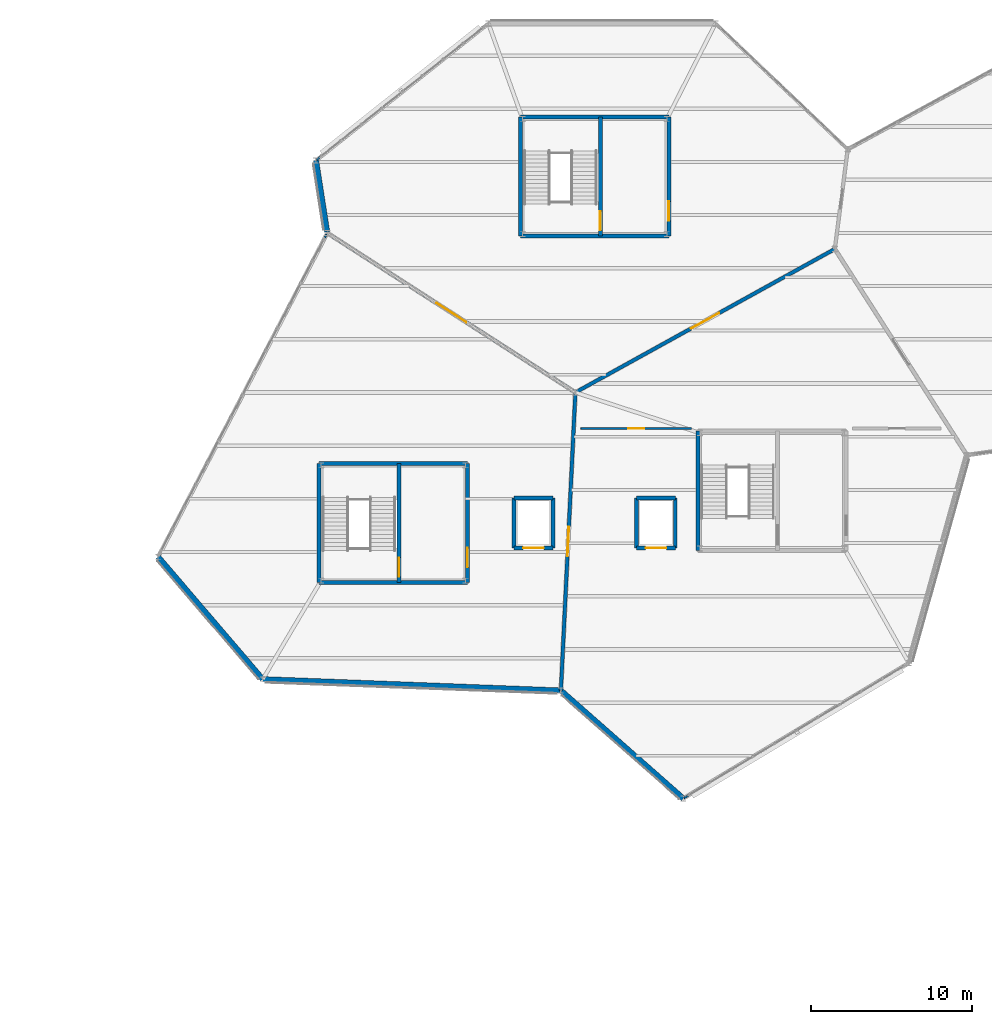
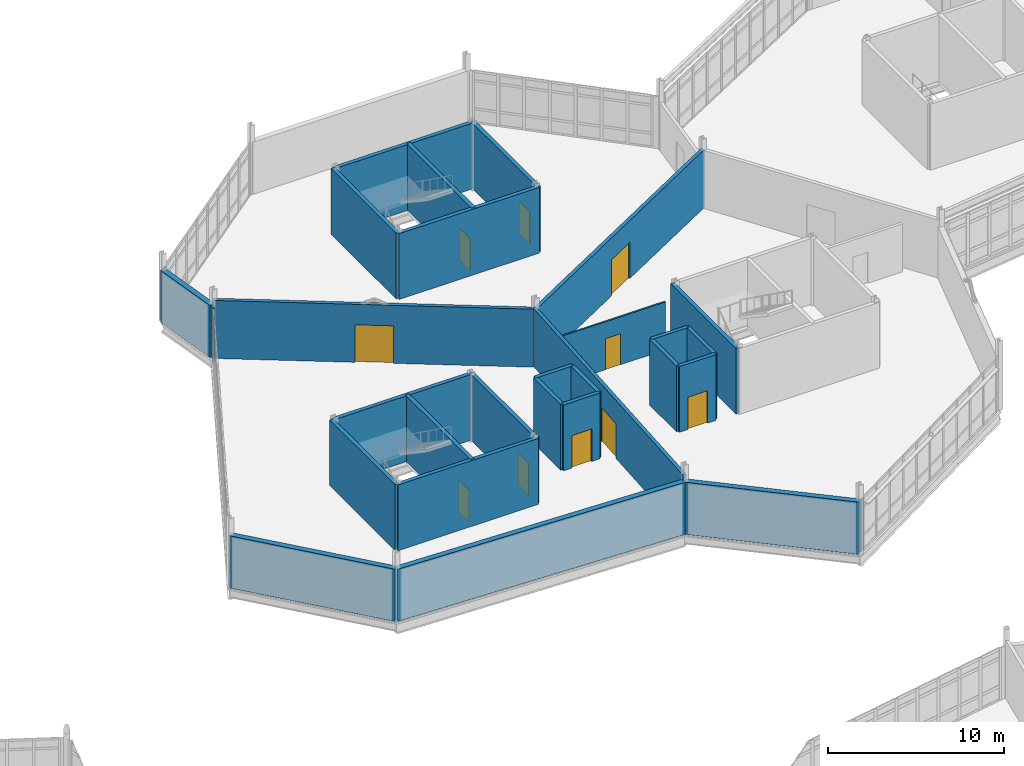
# One storey, part 96 of 114: 30 walls, 10 doors, 10 openings.
"""IFC4 building model written with IfcOpenShell, lengths in metres."""

from ifc_helpers import new_model, si_unit, direction, frame, frame_2d, origin, place, context, subcontext, project, spatial, rectangle, extrude, material, layer, layer_set, type_object, element, fill, save


model = new_model("IFC4")

# Units and contexts
model_context = context("Model", 3, precision=1e-05, world=origin(), true_north=direction((0.0, 1.0)))
body_context = subcontext(model_context, "Body", "Model", "MODEL_VIEW")
ifc_project = project(units=[si_unit("LENGTHUNIT", "METRE"), si_unit("AREAUNIT", "SQUARE_METRE"), si_unit("VOLUMEUNIT", "CUBIC_METRE"), si_unit("PLANEANGLEUNIT", "RADIAN"), si_unit("MASSUNIT", "GRAM", prefix="KILO")], contexts=[model_context])

# Site, building, storey
site_placement = place(None, origin())
site = spatial("IfcSite", under=ifc_project, at=site_placement, CompositionType="ELEMENT")
building_placement = place(site_placement, origin())
building = spatial("IfcBuilding", under=site, at=building_placement, Name="Tameran Prism Museum", CompositionType="ELEMENT")
storey_placement = place(building_placement, frame((0.0, 0.0, 10.199951171875)))
storey = spatial("IfcBuildingStorey", under=building, at=storey_placement, Name="L02", CompositionType="ELEMENT", Elevation=10.199951171875)

# Walls
ifc_material_1 = material(Name="Precast Concrete N40 (40 MPa)", Category="concrete")
ifc_layer_1 = layer(ifc_material_1, 0.094970703125)
ifc_layer_set_1 = layer_set([ifc_layer_1])
wall_type_1 = type_object("IfcWallType", Name="EW-CLOS-095", PredefinedType="SOLIDWALL", material=ifc_layer_set_1)
wall_1_placement = place(storey_placement, frame((103.2099609375, 98.636962890625, 0.0), z_axis=(0.0, 0.0, 1.0), x_axis=(0.464243799771, 0.885707454171, 0.0)))
element("IfcWall", 1, at=wall_1_placement, inside=storey, type_object=wall_type_1, Name="Facade Corner Closure EW-0272", PredefinedType="SOLIDWALL", context=body_context, shape_type="SweptSolid", body=[
    extrude(rectangle(XDim=0.30810546875, YDim=0.094970703125, at=frame_2d((0.154052734375, 0.0))), origin(), (0.0, 0.0, 1.0), 3.6201171875),
])
wall_2_placement = place(storey_placement, frame((125.800048828125, 64.080078125, 0.0), z_axis=(0.0, 0.0, 1.0), x_axis=(-0.858261853705, -0.513212032668, 0.0)))
element("IfcWall", 2, at=wall_2_placement, inside=storey, type_object=wall_type_1, Name="Facade Corner Closure EW-0276", PredefinedType="SOLIDWALL", context=body_context, shape_type="SweptSolid", body=[
    extrude(rectangle(XDim=0.307861328125, YDim=0.094970703125, at=frame_2d((0.15380859375, 0.0))), origin(), (0.0, 0.0, 1.0), 3.6201171875),
])
wall_3_placement = place(storey_placement, frame((102.73291015625, 103.52587890625, 0.0), z_axis=(0.0, 0.0, 1.0), x_axis=(0.782180115256, 0.623052379257, 0.0)))
element("IfcWall", 3, at=wall_3_placement, inside=storey, type_object=wall_type_1, Name="Facade Corner Closure EW-0281", PredefinedType="SOLIDWALL", context=body_context, shape_type="SweptSolid", body=[
    extrude(rectangle(XDim=0.308349609375, YDim=0.094970703125, at=frame_2d((0.154296875, 0.0))), origin(), (0.0, 0.0, 1.0), 3.6201171875),
])
ifc_material_2 = material(Name="Precast Concrete N40 (40 MPa)", Category="concrete")
ifc_layer_2 = layer(ifc_material_2, 0.340087890625)
ifc_layer_set_2 = layer_set([ifc_layer_2])
wall_type_2 = type_object("IfcWallType", Name="EW-GAL-340", PredefinedType="SOLIDWALL", material=ifc_layer_set_2)
wall_4_placement = place(storey_placement, frame((117.840087890625, 70.60205078125, 0.0), z_axis=(0.0, 0.0, 1.0), x_axis=(-0.999284381651, 0.037824920194, 0.0)))
element("IfcWall", 4, at=wall_4_placement, inside=storey, type_object=wall_type_2, Name="Exterior Fluted Precast Wall EW-0270", PredefinedType="SOLIDWALL", context=body_context, shape_type="SweptSolid", body=[
    extrude(rectangle(XDim=18.453369140625, YDim=0.340087890625, at=frame_2d((9.2265625, 0.0))), origin(), (0.0, 0.0, 1.0), 3.6201171875),
])
wall_5_placement = place(storey_placement, frame((99.39990234375, 71.300048828125, 0.0), z_axis=(0.0, 0.0, 1.0), x_axis=(-0.649974737731, 0.75995581471, 0.0)))
element("IfcWall", 5, at=wall_5_placement, inside=storey, type_object=wall_type_2, Name="Exterior Fluted Precast Wall EW-0273", PredefinedType="SOLIDWALL", context=body_context, shape_type="SweptSolid", body=[
    extrude(rectangle(XDim=10.00048828125, YDim=0.340087890625, at=frame_2d((5.000244140625, 0.0))), origin(), (0.0, 0.0, 1.0), 3.6201171875),
])
wall_6_placement = place(storey_placement, frame((125.5, 63.89990234375, 0.0), z_axis=(0.0, 0.0, 1.0), x_axis=(-0.750131359252, 0.661288850554, 0.0)))
element("IfcWall", 6, at=wall_6_placement, inside=storey, type_object=wall_type_2, Name="Exterior Fluted Precast Wall EW-0274", PredefinedType="SOLIDWALL", context=body_context, shape_type="SweptSolid", body=[
    extrude(rectangle(XDim=10.071533203125, YDim=0.340087890625, at=frame_2d((5.03564453125, 0.0))), origin(), (0.0, 0.0, 1.0), 3.6201171875),
])
wall_7_placement = place(storey_placement, frame((103.39111328125, 99.05908203125, 0.0), z_axis=(0.0, 0.0, 1.0), x_axis=(-0.153783616147, 0.988104548823, 0.0)))
element("IfcWall", 7, at=wall_7_placement, inside=storey, type_object=wall_type_2, Name="Exterior Fluted Precast Wall EW-0283", PredefinedType="SOLIDWALL", context=body_context, shape_type="SweptSolid", body=[
    extrude(rectangle(XDim=4.494384765625, YDim=0.340087890625, at=frame_2d((2.2470703125, 0.0))), origin(), (0.0, 0.0, 1.0), 3.6201171875),
])

# Wall, opening, door
ifc_material_3 = material(Name="Concrete N40 (40 MPa)", Category="concrete")
ifc_layer_3 = layer(ifc_material_3, 0.22509765625)
ifc_layer_set_3 = layer_set([ifc_layer_3])
wall_type_3 = type_object("IfcWallType", Name="IW-CMP-225", PredefinedType="SOLIDWALL", material=ifc_layer_set_3)
wall_8_placement = place(storey_placement, frame((117.89990234375, 70.60009765625, 0.0), z_axis=(0.0, 0.0, 1.0), x_axis=(0.048599072515, 0.998818366947, 0.0)))
wall_8 = element("IfcWall", 8, at=wall_8_placement, inside=storey, type_object=wall_type_3, Name="Compartment Wall IW-0111", PredefinedType="SOLIDWALL", context=body_context, shape_type="SweptSolid", body=[
    extrude(rectangle(XDim=18.52197265625, YDim=0.22509765625, at=frame_2d((9.260986328125, 0.0))), origin(), (0.0, 0.0, 1.0), 4.02001953125),
])
opening_1_placement = place(wall_8_placement, frame((8.3359375, 0.0, 0.0)))
opening_1 = element("IfcOpeningElement", 9, at=opening_1_placement, cuts=wall_8, Name="Opening ID-0110", PredefinedType="OPENING", context=body_context, shape_type="SweptSolid", body=[
    extrude(rectangle(XDim=1.85009765625, YDim=2.39990234375, at=frame_2d((0.925048828125, 1.199951171875))), frame((0.0, 0.12255859375, 0.0), z_axis=(0.0, -1.0, 0.0), x_axis=(1.0, 0.0, 0.0)), (0.0, 0.0, 1.0), 0.2451171875),
])
ifc_material_4 = material(Name="Fire-Rated Steel Door Leaf and Frame", Category="steel")
door_type_1 = type_object("IfcDoorType", Name="DR-GAL-185", OperationType="DOUBLE_DOOR_SINGLE_SWING", PredefinedType="DOOR", material=ifc_material_4)
door_1_placement = place(opening_1_placement, origin())
door_1 = element("IfcDoor", 10, at=door_1_placement, inside=storey, type_object=door_type_1, Name="Compartment Door ID-0110", OperationType="DOUBLE_DOOR_SINGLE_SWING", OverallHeight=2.39990234375, OverallWidth=1.85009765625, PredefinedType="DOOR", context=body_context, shape_type="SweptSolid", body=[
    extrude(rectangle(XDim=1.85009765625, YDim=2.39990234375, at=frame_2d((0.925048828125, 1.199951171875))), frame((0.0, 0.02490234375, 0.0), z_axis=(0.0, -1.0, 0.0), x_axis=(1.0, 0.0, 0.0)), (0.0, 0.0, 1.0), 0.050048828125),
])
fill(opening_1, door_1)

wall_9_placement = place(storey_placement, frame((118.800048828125, 89.10009765625, 0.0), z_axis=(0.0, 0.0, 1.0), x_axis=(-0.841183241423, 0.540750177392, 0.0)))
wall_9 = element("IfcWall", 11, at=wall_9_placement, inside=storey, type_object=wall_type_3, Name="Compartment Wall IW-0112", PredefinedType="SOLIDWALL", context=body_context, shape_type="SweptSolid", body=[
    extrude(rectangle(XDim=18.3076171875, YDim=0.22509765625, at=frame_2d((9.15380859375, 0.0))), origin(), (0.0, 0.0, 1.0), 4.02001953125),
])
opening_2_placement = place(wall_9_placement, frame((8.053955078125, 0.0, 0.0)))
opening_2 = element("IfcOpeningElement", 12, at=opening_2_placement, cuts=wall_9, Name="Opening ID-0111", PredefinedType="OPENING", context=body_context, shape_type="SweptSolid", body=[
    extrude(rectangle(XDim=2.199951171875, YDim=2.60009765625, at=frame_2d((1.10009765625, 1.300048828125))), frame((0.0, 0.12255859375, 0.0), z_axis=(0.0, -1.0, 0.0), x_axis=(1.0, 0.0, 0.0)), (0.0, 0.0, 1.0), 0.2451171875),
])
ifc_material_5 = material(Name="Fire-Rated Steel Door Leaf and Frame", Category="steel")
door_type_2 = type_object("IfcDoorType", Name="DR-GAL-220", OperationType="DOUBLE_DOOR_SINGLE_SWING", PredefinedType="DOOR", material=ifc_material_5)
door_2_placement = place(opening_2_placement, origin())
door_2 = element("IfcDoor", 13, at=door_2_placement, inside=storey, type_object=door_type_2, Name="Compartment Door ID-0111", OperationType="DOUBLE_DOOR_SINGLE_SWING", OverallHeight=2.60009765625, OverallWidth=2.199951171875, PredefinedType="DOOR", context=body_context, shape_type="SweptSolid", body=[
    extrude(rectangle(XDim=2.199951171875, YDim=2.60009765625, at=frame_2d((1.10009765625, 1.300048828125))), frame((0.0, 0.02490234375, 0.0), z_axis=(0.0, -1.0, 0.0), x_axis=(1.0, 0.0, 0.0)), (0.0, 0.0, 1.0), 0.050048828125),
])
fill(opening_2, door_2)

wall_10_placement = place(storey_placement, frame((134.89990234375, 98.0, 0.0), z_axis=(0.0, 0.0, 1.0), x_axis=(-0.875181353329, -0.483794996652, 0.0)))
wall_10 = element("IfcWall", 14, at=wall_10_placement, inside=storey, type_object=wall_type_3, Name="Compartment Wall IW-0113", PredefinedType="SOLIDWALL", context=body_context, shape_type="SweptSolid", body=[
    extrude(rectangle(XDim=18.39599609375, YDim=0.22509765625, at=frame_2d((9.197998046875, 0.0))), origin(), (0.0, 0.0, 1.0), 4.02001953125),
])
opening_3_placement = place(wall_10_placement, frame((8.197998046875, 0.0, 0.0)))
opening_3 = element("IfcOpeningElement", 15, at=opening_3_placement, cuts=wall_10, Name="Opening ID-0112", PredefinedType="OPENING", context=body_context, shape_type="SweptSolid", body=[
    extrude(rectangle(XDim=2.0, YDim=2.5, at=frame_2d((1.0, 1.25))), frame((0.0, 0.12255859375, 0.0), z_axis=(0.0, -1.0, 0.0), x_axis=(1.0, 0.0, 0.0)), (0.0, 0.0, 1.0), 0.2451171875),
])
ifc_material_6 = material(Name="Fire-Rated Steel Door Leaf and Frame", Category="steel")
door_type_3 = type_object("IfcDoorType", Name="DR-GAL-200", OperationType="DOUBLE_DOOR_SINGLE_SWING", PredefinedType="DOOR", material=ifc_material_6)
door_3_placement = place(opening_3_placement, origin())
door_3 = element("IfcDoor", 16, at=door_3_placement, inside=storey, type_object=door_type_3, Name="Compartment Door ID-0112", OperationType="DOUBLE_DOOR_SINGLE_SWING", OverallHeight=2.5, OverallWidth=2.0, PredefinedType="DOOR", context=body_context, shape_type="SweptSolid", body=[
    extrude(rectangle(XDim=2.0, YDim=2.5, at=frame_2d((1.0, 1.25))), frame((0.0, 0.02490234375, 0.0), z_axis=(0.0, -1.0, 0.0), x_axis=(1.0, 0.0, 0.0)), (0.0, 0.0, 1.0), 0.050048828125),
])
fill(opening_3, door_3)

# Walls
ifc_material_7 = material(Name="Concrete N40 (40 MPa)", Category="concrete")
ifc_layer_4 = layer(ifc_material_7, 0.25)
ifc_layer_set_4 = layer_set([ifc_layer_4])
wall_type_4 = type_object("IfcWallType", Name="IW-COR-250", PredefinedType="SHEAR", material=ifc_layer_set_4)
wall_11_placement = place(storey_placement, frame((102.89990234375, 77.300048828125, 0.0), z_axis=(0.0, 0.0, 1.0), x_axis=(0.0, 1.0, 0.0)))
element("IfcWall", 17, at=wall_11_placement, inside=storey, type_object=wall_type_4, Name="Core Shear Wall CW-1-L02-W", PredefinedType="SHEAR", context=body_context, shape_type="SweptSolid", body=[
    extrude(rectangle(XDim=7.39990234375, YDim=0.25, at=frame_2d((3.699951171875, 0.0))), origin(), (0.0, 0.0, 1.0), 4.56005859375),
])
for number, where, z_axis, x_axis, name in (
    (18, (102.89990234375, 84.699951171875, 0.0), (0.0, 0.0, 1.0), (1.0, 0.0, 0.0), "Core Shear Wall CW-1-L02-N"),
    (19, (112.10009765625, 77.300048828125, 0.0), (0.0, 0.0, 1.0), (-1.0, 0.0, 0.0), "Core Shear Wall CW-1-L02-S"),
):
    element("IfcWall", number, at=place(storey_placement, frame(where, z_axis=z_axis, x_axis=x_axis)), inside=storey, type_object=wall_type_4, Name=name, PredefinedType="SHEAR", context=body_context, shape_type="SweptSolid", body=[
        extrude(rectangle(XDim=9.2001953125, YDim=0.25, at=frame_2d((4.60009765625, 0.0))), origin(), (0.0, 0.0, 1.0), 4.56005859375),
    ])

# Wall, opening, door
wall_12_placement = place(storey_placement, frame((112.10009765625, 84.699951171875, 0.0), z_axis=(0.0, 0.0, 1.0), x_axis=(0.0, -1.0, 0.0)))
wall_12 = element("IfcWall", 20, at=wall_12_placement, inside=storey, type_object=wall_type_4, Name="Core Shear Wall CW-1-L02-E", PredefinedType="SHEAR", context=body_context, shape_type="SweptSolid", body=[
    extrude(rectangle(XDim=7.39990234375, YDim=0.25, at=frame_2d((3.699951171875, 0.0))), origin(), (0.0, 0.0, 1.0), 4.56005859375),
])
opening_4_placement = place(wall_12_placement, frame((5.25, 0.0, 0.0)))
opening_4 = element("IfcOpeningElement", 21, at=opening_4_placement, cuts=wall_12, Name="Opening FD-0175", PredefinedType="OPENING", context=body_context, shape_type="SweptSolid", body=[
    extrude(rectangle(XDim=1.199951171875, YDim=2.199951171875, at=frame_2d((0.60009765625, 1.10009765625))), frame((0.0, 0.135009765625, 0.0), z_axis=(0.0, -1.0, 0.0), x_axis=(1.0, 0.0, 0.0)), (0.0, 0.0, 1.0), 0.27001953125),
])
ifc_material_8 = material(Name="Fire-Rated Steel Door Leaf and Frame", Category="steel")
door_type_4 = type_object("IfcDoorType", Name="DR-FD-120A", OperationType="NOTDEFINED", PredefinedType="DOOR", material=ifc_material_8)
door_4_placement = place(opening_4_placement, origin())
door_4 = element("IfcDoor", 22, at=door_4_placement, inside=storey, type_object=door_type_4, Name="Core Fire Door FD-0175", OperationType="SINGLE_SWING_LEFT", OverallHeight=2.199951171875, OverallWidth=1.199951171875, PredefinedType="DOOR", context=body_context, shape_type="SweptSolid", body=[
    extrude(rectangle(XDim=1.199951171875, YDim=2.199951171875, at=frame_2d((0.60009765625, 1.10009765625))), frame((0.0, 0.02490234375, 0.0), z_axis=(0.0, -1.0, 0.0), x_axis=(1.0, 0.0, 0.0)), (0.0, 0.0, 1.0), 0.050048828125),
])
fill(opening_4, door_4)

wall_13_placement = place(storey_placement, frame((107.85009765625, 84.699951171875, 0.0), z_axis=(0.0, 0.0, 1.0), x_axis=(0.0, -1.0, 0.0)))
wall_13 = element("IfcWall", 23, at=wall_13_placement, inside=storey, type_object=wall_type_4, Name="Core Shear Wall CW-1-L02-M", PredefinedType="SHEAR", context=body_context, shape_type="SweptSolid", body=[
    extrude(rectangle(XDim=7.39990234375, YDim=0.25, at=frame_2d((3.699951171875, 0.0))), origin(), (0.0, 0.0, 1.0), 4.56005859375),
])
opening_5_placement = place(wall_13_placement, frame((5.85009765625, 0.0, 0.0)))
opening_5 = element("IfcOpeningElement", 24, at=opening_5_placement, cuts=wall_13, Name="Opening FD-0176", PredefinedType="OPENING", context=body_context, shape_type="SweptSolid", body=[
    extrude(rectangle(XDim=1.199951171875, YDim=2.199951171875, at=frame_2d((0.60009765625, 1.10009765625))), frame((0.0, 0.135009765625, 0.0), z_axis=(0.0, -1.0, 0.0), x_axis=(1.0, 0.0, 0.0)), (0.0, 0.0, 1.0), 0.27001953125),
])
door_5_placement = place(opening_5_placement, origin())
door_5 = element("IfcDoor", 25, at=door_5_placement, inside=storey, type_object=door_type_4, Name="Core Fire Door FD-0176", OperationType="SINGLE_SWING_RIGHT", OverallHeight=2.199951171875, OverallWidth=1.199951171875, PredefinedType="DOOR", context=body_context, shape_type="SweptSolid", body=[
    extrude(rectangle(XDim=1.199951171875, YDim=2.199951171875, at=frame_2d((0.60009765625, 1.10009765625))), frame((0.0, 0.02490234375, 0.0), z_axis=(0.0, -1.0, 0.0), x_axis=(1.0, 0.0, 0.0)), (0.0, 0.0, 1.0), 0.050048828125),
])
fill(opening_5, door_5)

# Walls
for number, where, z_axis, x_axis, name in (
    (26, (126.39990234375, 79.300048828125, 0.0), (0.0, 0.0, 1.0), (0.0, 1.0, 0.0), "Core Shear Wall CW-2-L02-W"),
    (27, (115.39990234375, 98.800048828125, 0.0), (0.0, 0.0, 1.0), (0.0, 1.0, 0.0), "Core Shear Wall CW-7-L02-W"),
):
    element("IfcWall", number, at=place(storey_placement, frame(where, z_axis=z_axis, x_axis=x_axis)), inside=storey, type_object=wall_type_4, Name=name, PredefinedType="SHEAR", context=body_context, shape_type="SweptSolid", body=[
        extrude(rectangle(XDim=7.39990234375, YDim=0.25, at=frame_2d((3.699951171875, 0.0))), origin(), (0.0, 0.0, 1.0), 4.56005859375),
    ])
for number, where, z_axis, x_axis, name in (
    (28, (115.39990234375, 106.199951171875, 0.0), (0.0, 0.0, 1.0), (1.0, 0.0, 0.0), "Core Shear Wall CW-7-L02-N"),
    (29, (124.60009765625, 98.800048828125, 0.0), (0.0, 0.0, 1.0), (-1.0, 0.0, 0.0), "Core Shear Wall CW-7-L02-S"),
):
    element("IfcWall", number, at=place(storey_placement, frame(where, z_axis=z_axis, x_axis=x_axis)), inside=storey, type_object=wall_type_4, Name=name, PredefinedType="SHEAR", context=body_context, shape_type="SweptSolid", body=[
        extrude(rectangle(XDim=9.2001953125, YDim=0.25, at=frame_2d((4.60009765625, 0.0))), origin(), (0.0, 0.0, 1.0), 4.56005859375),
    ])

# Wall, opening, door
wall_14_placement = place(storey_placement, frame((124.60009765625, 106.199951171875, 0.0), z_axis=(0.0, 0.0, 1.0), x_axis=(0.0, -1.0, 0.0)))
wall_14 = element("IfcWall", 30, at=wall_14_placement, inside=storey, type_object=wall_type_4, Name="Core Shear Wall CW-7-L02-E", PredefinedType="SHEAR", context=body_context, shape_type="SweptSolid", body=[
    extrude(rectangle(XDim=7.39990234375, YDim=0.25, at=frame_2d((3.699951171875, 0.0))), origin(), (0.0, 0.0, 1.0), 4.56005859375),
])
opening_6_placement = place(wall_14_placement, frame((5.25, 0.0, 0.0)))
opening_6 = element("IfcOpeningElement", 31, at=opening_6_placement, cuts=wall_14, Name="Opening FD-0203", PredefinedType="OPENING", context=body_context, shape_type="SweptSolid", body=[
    extrude(rectangle(XDim=1.199951171875, YDim=2.199951171875, at=frame_2d((0.60009765625, 1.10009765625))), frame((0.0, 0.135009765625, 0.0), z_axis=(0.0, -1.0, 0.0), x_axis=(1.0, 0.0, 0.0)), (0.0, 0.0, 1.0), 0.27001953125),
])
door_6_placement = place(opening_6_placement, origin())
door_6 = element("IfcDoor", 32, at=door_6_placement, inside=storey, type_object=door_type_4, Name="Core Fire Door FD-0203", OperationType="SINGLE_SWING_LEFT", OverallHeight=2.199951171875, OverallWidth=1.199951171875, PredefinedType="DOOR", context=body_context, shape_type="SweptSolid", body=[
    extrude(rectangle(XDim=1.199951171875, YDim=2.199951171875, at=frame_2d((0.60009765625, 1.10009765625))), frame((0.0, 0.02490234375, 0.0), z_axis=(0.0, -1.0, 0.0), x_axis=(1.0, 0.0, 0.0)), (0.0, 0.0, 1.0), 0.050048828125),
])
fill(opening_6, door_6)

wall_15_placement = place(storey_placement, frame((120.35009765625, 106.199951171875, 0.0), z_axis=(0.0, 0.0, 1.0), x_axis=(0.0, -1.0, 0.0)))
wall_15 = element("IfcWall", 33, at=wall_15_placement, inside=storey, type_object=wall_type_4, Name="Core Shear Wall CW-7-L02-M", PredefinedType="SHEAR", context=body_context, shape_type="SweptSolid", body=[
    extrude(rectangle(XDim=7.39990234375, YDim=0.25, at=frame_2d((3.699951171875, 0.0))), origin(), (0.0, 0.0, 1.0), 4.56005859375),
])
opening_7_placement = place(wall_15_placement, frame((5.85009765625, 0.0, 0.0)))
opening_7 = element("IfcOpeningElement", 34, at=opening_7_placement, cuts=wall_15, Name="Opening FD-0204", PredefinedType="OPENING", context=body_context, shape_type="SweptSolid", body=[
    extrude(rectangle(XDim=1.199951171875, YDim=2.199951171875, at=frame_2d((0.60009765625, 1.10009765625))), frame((0.0, 0.135009765625, 0.0), z_axis=(0.0, -1.0, 0.0), x_axis=(1.0, 0.0, 0.0)), (0.0, 0.0, 1.0), 0.27001953125),
])
door_7_placement = place(opening_7_placement, origin())
door_7 = element("IfcDoor", 35, at=door_7_placement, inside=storey, type_object=door_type_4, Name="Core Fire Door FD-0204", OperationType="SINGLE_SWING_RIGHT", OverallHeight=2.199951171875, OverallWidth=1.199951171875, PredefinedType="DOOR", context=body_context, shape_type="SweptSolid", body=[
    extrude(rectangle(XDim=1.199951171875, YDim=2.199951171875, at=frame_2d((0.60009765625, 1.10009765625))), frame((0.0, 0.02490234375, 0.0), z_axis=(0.0, -1.0, 0.0), x_axis=(1.0, 0.0, 0.0)), (0.0, 0.0, 1.0), 0.050048828125),
])
fill(opening_7, door_7)

# Walls
ifc_material_9 = material(Name="Concrete N40 (40 MPa)", Category="concrete")
ifc_layer_5 = layer(ifc_material_9, 0.239990234375)
ifc_layer_set_5 = layer_set([ifc_layer_5])
wall_type_5 = type_object("IfcWallType", Name="IW-LFT-240", PredefinedType="SHEAR", material=ifc_layer_set_5)
wall_16_placement = place(storey_placement, frame((115.0, 82.550048828125, 0.0), z_axis=(0.0, 0.0, 1.0), x_axis=(1.0, 0.0, 0.0)))
element("IfcWall", 36, at=wall_16_placement, inside=storey, type_object=wall_type_5, Name="Lift Shaft Wall LW-EL01-L02N", PredefinedType="SHEAR", context=body_context, shape_type="SweptSolid", body=[
    extrude(rectangle(XDim=2.39990234375, YDim=0.239990234375, at=frame_2d((1.199951171875, 0.0))), origin(), (0.0, 0.0, 1.0), 4.56005859375),
])
for number, where, z_axis, x_axis, name in (
    (37, (117.39990234375, 82.550048828125, 0.0), (0.0, 0.0, 1.0), (0.0, -1.0, 0.0), "Lift Shaft Wall LW-EL01-L02E"),
    (38, (115.0, 79.449951171875, 0.0), (0.0, 0.0, 1.0), (0.0, 1.0, 0.0), "Lift Shaft Wall LW-EL01-L02W"),
):
    element("IfcWall", number, at=place(storey_placement, frame(where, z_axis=z_axis, x_axis=x_axis)), inside=storey, type_object=wall_type_5, Name=name, PredefinedType="SHEAR", context=body_context, shape_type="SweptSolid", body=[
        extrude(rectangle(XDim=3.10009765625, YDim=0.239990234375, at=frame_2d((1.550048828125, 0.0))), origin(), (0.0, 0.0, 1.0), 4.56005859375),
    ])

# Wall, opening, door
wall_17_placement = place(storey_placement, frame((117.39990234375, 79.449951171875, 0.0), z_axis=(0.0, 0.0, 1.0), x_axis=(-1.0, 0.0, 0.0)))
wall_17 = element("IfcWall", 39, at=wall_17_placement, inside=storey, type_object=wall_type_5, Name="Lift Shaft Wall LW-EL01-L02S", PredefinedType="SHEAR", context=body_context, shape_type="SweptSolid", body=[
    extrude(rectangle(XDim=2.39990234375, YDim=0.239990234375, at=frame_2d((1.199951171875, 0.0))), origin(), (0.0, 0.0, 1.0), 4.56005859375),
])
opening_8_placement = place(wall_17_placement, frame((0.550048828125, 0.0, 0.0)))
opening_8 = element("IfcOpeningElement", 40, at=opening_8_placement, cuts=wall_17, Name="Opening LD-EL01-L02", PredefinedType="OPENING", context=body_context, shape_type="SweptSolid", body=[
    extrude(rectangle(XDim=1.300048828125, YDim=2.25, at=frame_2d((0.64990234375, 1.125))), frame((0.0, 0.1298828125, 0.0), z_axis=(0.0, -1.0, 0.0), x_axis=(1.0, 0.0, 0.0)), (0.0, 0.0, 1.0), 0.260009765625),
])
ifc_material_10 = material(Name="Fire-Rated Steel Door Leaf and Frame", Category="steel")
door_type_5 = type_object("IfcDoorType", Name="DR-LD-EL", OperationType="SLIDING_TO_LEFT", PredefinedType="DOOR", material=ifc_material_10)
door_8_placement = place(opening_8_placement, origin())
door_8 = element("IfcDoor", 41, at=door_8_placement, inside=storey, type_object=door_type_5, Name="Emergency Stretcher Lift EL-01 Landing Door L02", OperationType="SLIDING_TO_LEFT", OverallHeight=2.25, OverallWidth=1.300048828125, PredefinedType="DOOR", context=body_context, shape_type="SweptSolid", body=[
    extrude(rectangle(XDim=1.300048828125, YDim=2.25, at=frame_2d((0.64990234375, 1.125))), frame((0.0, 0.02490234375, 0.0), z_axis=(0.0, -1.0, 0.0), x_axis=(1.0, 0.0, 0.0)), (0.0, 0.0, 1.0), 0.050048828125),
])
fill(opening_8, door_8)

# Walls
wall_18_placement = place(storey_placement, frame((122.60009765625, 82.550048828125, 0.0), z_axis=(0.0, 0.0, 1.0), x_axis=(1.0, 0.0, 0.0)))
element("IfcWall", 42, at=wall_18_placement, inside=storey, type_object=wall_type_5, Name="Lift Shaft Wall LW-EL02-L02N", PredefinedType="SHEAR", context=body_context, shape_type="SweptSolid", body=[
    extrude(rectangle(XDim=2.39990234375, YDim=0.239990234375, at=frame_2d((1.199951171875, 0.0))), origin(), (0.0, 0.0, 1.0), 4.56005859375),
])
for number, where, z_axis, x_axis, name in (
    (43, (125.0, 82.550048828125, 0.0), (0.0, 0.0, 1.0), (0.0, -1.0, 0.0), "Lift Shaft Wall LW-EL02-L02E"),
    (44, (122.60009765625, 79.449951171875, 0.0), (0.0, 0.0, 1.0), (0.0, 1.0, 0.0), "Lift Shaft Wall LW-EL02-L02W"),
):
    element("IfcWall", number, at=place(storey_placement, frame(where, z_axis=z_axis, x_axis=x_axis)), inside=storey, type_object=wall_type_5, Name=name, PredefinedType="SHEAR", context=body_context, shape_type="SweptSolid", body=[
        extrude(rectangle(XDim=3.10009765625, YDim=0.239990234375, at=frame_2d((1.550048828125, 0.0))), origin(), (0.0, 0.0, 1.0), 4.56005859375),
    ])

# Wall, opening, door
wall_19_placement = place(storey_placement, frame((125.0, 79.449951171875, 0.0), z_axis=(0.0, 0.0, 1.0), x_axis=(-1.0, 0.0, 0.0)))
wall_19 = element("IfcWall", 45, at=wall_19_placement, inside=storey, type_object=wall_type_5, Name="Lift Shaft Wall LW-EL02-L02S", PredefinedType="SHEAR", context=body_context, shape_type="SweptSolid", body=[
    extrude(rectangle(XDim=2.39990234375, YDim=0.239990234375, at=frame_2d((1.199951171875, 0.0))), origin(), (0.0, 0.0, 1.0), 4.56005859375),
])
opening_9_placement = place(wall_19_placement, frame((0.550048828125, 0.0, 0.0)))
opening_9 = element("IfcOpeningElement", 46, at=opening_9_placement, cuts=wall_19, Name="Opening LD-EL02-L02", PredefinedType="OPENING", context=body_context, shape_type="SweptSolid", body=[
    extrude(rectangle(XDim=1.300048828125, YDim=2.25, at=frame_2d((0.64990234375, 1.125))), frame((0.0, 0.1298828125, 0.0), z_axis=(0.0, -1.0, 0.0), x_axis=(1.0, 0.0, 0.0)), (0.0, 0.0, 1.0), 0.260009765625),
])
door_9_placement = place(opening_9_placement, origin())
door_9 = element("IfcDoor", 47, at=door_9_placement, inside=storey, type_object=door_type_5, Name="Emergency Stretcher Lift EL-02 Landing Door L02", OperationType="SLIDING_TO_LEFT", OverallHeight=2.25, OverallWidth=1.300048828125, PredefinedType="DOOR", context=body_context, shape_type="SweptSolid", body=[
    extrude(rectangle(XDim=1.300048828125, YDim=2.25, at=frame_2d((0.64990234375, 1.125))), frame((0.0, 0.02490234375, 0.0), z_axis=(0.0, -1.0, 0.0), x_axis=(1.0, 0.0, 0.0)), (0.0, 0.0, 1.0), 0.050048828125),
])
fill(opening_9, door_9)

ifc_material_11 = material(Name="Store Lightweight Stud Partition")
ifc_layer_6 = layer(ifc_material_11, 0.110107421875)
ifc_layer_set_6 = layer_set([ifc_layer_6])
wall_type_6 = type_object("IfcWallType", Name="IW-PRT-110", PredefinedType="PARTITIONING", material=ifc_layer_set_6)
wall_20_placement = place(storey_placement, frame((119.14208984375, 86.85888671875, 0.0), z_axis=(0.0, 0.0, 1.0), x_axis=(1.0, 0.0, 0.0)))
wall_20 = element("IfcWall", 48, at=wall_20_placement, inside=storey, type_object=wall_type_6, Name="Internal Partition PT-0127", PredefinedType="PARTITIONING", context=body_context, shape_type="SweptSolid", body=[
    extrude(rectangle(XDim=6.85791015625, YDim=0.110107421875, at=frame_2d((3.428955078125, 0.0))), origin(), (0.0, 0.0, 1.0), 3.320068359375),
])
opening_10_placement = place(wall_20_placement, frame((2.93896484375, 0.0, 0.0)))
opening_10 = element("IfcOpeningElement", 49, at=opening_10_placement, cuts=wall_20, Name="Opening ID-0126", PredefinedType="OPENING", context=body_context, shape_type="SweptSolid", body=[
    extrude(rectangle(XDim=0.97998046875, YDim=2.14990234375, at=frame_2d((0.489990234375, 1.074951171875))), frame((0.0, 0.06494140625, 0.0), z_axis=(0.0, -1.0, 0.0), x_axis=(1.0, 0.0, 0.0)), (0.0, 0.0, 1.0), 0.130126953125),
])
ifc_material_12 = material(Name="Acoustic Solid-Core Timber Door", Category="wood")
door_type_6 = type_object("IfcDoorType", Name="DR-INT-098", OperationType="NOTDEFINED", PredefinedType="DOOR", material=ifc_material_12)
door_10_placement = place(opening_10_placement, origin())
door_10 = element("IfcDoor", 50, at=door_10_placement, inside=storey, type_object=door_type_6, Name="Interior Room Door ID-0126", OperationType="SINGLE_SWING_LEFT", OverallHeight=2.14990234375, OverallWidth=0.97998046875, PredefinedType="DOOR", context=body_context, shape_type="SweptSolid", body=[
    extrude(rectangle(XDim=0.97998046875, YDim=2.14990234375, at=frame_2d((0.489990234375, 1.074951171875))), frame((0.0, 0.02490234375, 0.0), z_axis=(0.0, -1.0, 0.0), x_axis=(1.0, 0.0, 0.0)), (0.0, 0.0, 1.0), 0.050048828125),
])
fill(opening_10, door_10)

save(model, "model.ifc")
